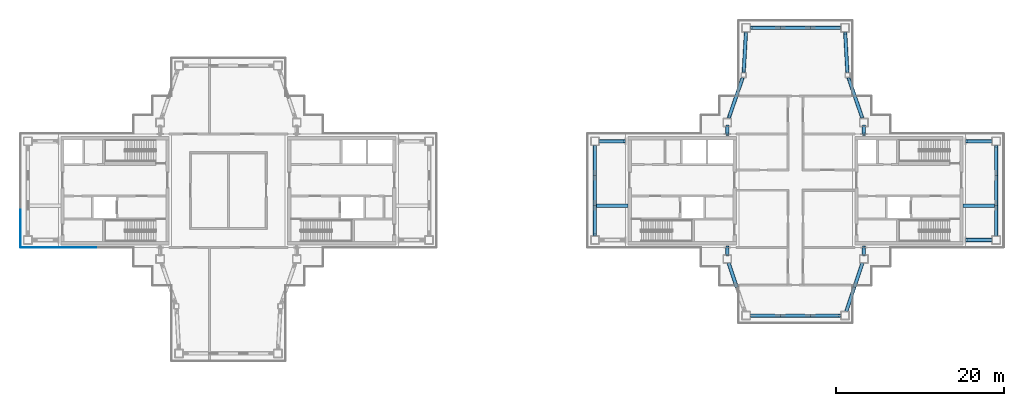
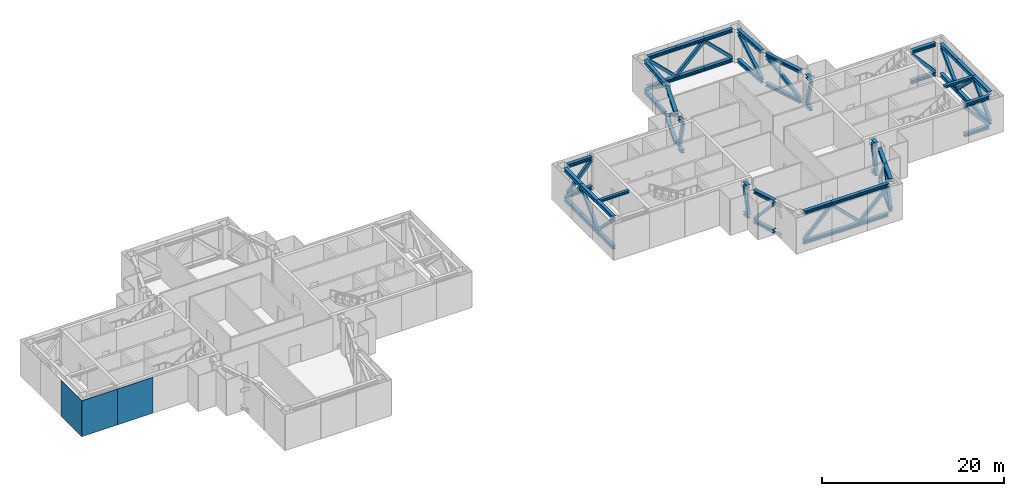
# One storey, part 4 of 18: 78 members, 3 plates, 2 beams, 3 elements without a shape of their own.
"""IFC4 building model written with IfcOpenShell, lengths in metres."""

from ifc_helpers import new_model, si_unit, direction, frame, origin, origin_2d, place, context, subcontext, project, spatial, rectangle, hollow_rectangle, i_section, extrude, material, layer, layer_set, material_profile, profile_set, type_object, element, aggregate, save


model = new_model("IFC4")

# Units and contexts
model_context = context("Model", 3, precision=1e-05, world=origin(), true_north=direction((0.0, 1.0)))
body_context = subcontext(model_context, "Body", "Model", "MODEL_VIEW")
ifc_project = project(units=[si_unit("LENGTHUNIT", "METRE"), si_unit("AREAUNIT", "SQUARE_METRE"), si_unit("VOLUMEUNIT", "CUBIC_METRE"), si_unit("PLANEANGLEUNIT", "RADIAN"), si_unit("MASSUNIT", "GRAM", prefix="KILO")], contexts=[model_context])

# Site, building, storey
site_placement = place(None, origin())
site = spatial("IfcSite", under=ifc_project, at=site_placement, CompositionType="ELEMENT")
building_placement = place(site_placement, origin())
building = spatial("IfcBuilding", under=site, at=building_placement, Name="Shamsa Quay Exchange Towers", CompositionType="ELEMENT")
storey_placement = place(building_placement, frame((0.0, 0.0, 225.60009765625)))
storey = spatial("IfcBuildingStorey", under=building, at=storey_placement, Name="L54", CompositionType="ELEMENT", Elevation=225.60009765625)

# Members
ifc_material_1 = material(Name="Steel S355", Category="steel")
ifc_material_profile_1 = material_profile(ifc_material_1, i_section(OverallWidth=0.42138671875, OverallDepth=0.465087890625, WebThickness=0.044921875, FlangeThickness=0.072021484375, at=origin_2d()), Name="W14x398")
ifc_profile_set_1 = profile_set([ifc_material_profile_1], Name="Steel S355")
member_type_1 = type_object("IfcMemberType", Name="Belt chord W14x398", PredefinedType="CHORD", material=ifc_profile_set_1)
for number, where, z_axis, x_axis, name in (
    (1, (25.791748046875, -8.625, 4.21728515625), (0.316203597486, -0.948691353885, 0.0), (0.948691353885, 0.316203597486, 0.0), "Belt truss chord T2 L54 3"),
    (2, (25.791748046875, -8.625, 0.232421875), (0.316203597486, -0.948691353885, 0.0), (0.948691353885, 0.316203597486, 0.0), "Belt truss chord T2 L54 3"),
):
    element("IfcMember", number, at=place(storey_placement, frame(where, z_axis=z_axis, x_axis=x_axis)), inside=storey, type_object=member_type_1, Name=name, PredefinedType="CHORD", context=body_context, shape_type="SweptSolid", body=[
        extrude(i_section(OverallWidth=0.42138671875, OverallDepth=0.465087890625, WebThickness=0.044921875, FlangeThickness=0.072021484375, at=origin_2d()), origin(), (0.0, 0.0, 1.0), 3.030517578125),
    ])
for number, where, z_axis, x_axis, name in (
    (3, (28.375, -14.875, 4.21728515625), (1.0, 0.0, 0.0), (0.0, 1.0, 0.0), "Belt truss chord T2 L54 4"),
    (4, (28.375, -14.875, 0.232421875), (1.0, 0.0, 0.0), (0.0, 1.0, 0.0), "Belt truss chord T2 L54 4"),
):
    element("IfcMember", number, at=place(storey_placement, frame(where, z_axis=z_axis, x_axis=x_axis)), inside=storey, type_object=member_type_1, Name=name, PredefinedType="CHORD", context=body_context, shape_type="SweptSolid", body=[
        extrude(i_section(OverallWidth=0.42138671875, OverallDepth=0.465087890625, WebThickness=0.044921875, FlangeThickness=0.072021484375, at=origin_2d()), origin(), (0.0, 0.0, 1.0), 3.583251953125),
    ])
for number, where, z_axis, x_axis, name in (
    (5, (31.958251953125, -14.875, 4.21728515625), (1.0, 0.0, 0.0), (0.0, 1.0, 0.0), "Belt truss chord T2 L54 4"),
    (6, (31.958251953125, -14.875, 0.232421875), (1.0, 0.0, 0.0), (0.0, 1.0, 0.0), "Belt truss chord T2 L54 4"),
):
    element("IfcMember", number, at=place(storey_placement, frame(where, z_axis=z_axis, x_axis=x_axis)), inside=storey, type_object=member_type_1, Name=name, PredefinedType="CHORD", context=body_context, shape_type="SweptSolid", body=[
        extrude(i_section(OverallWidth=0.42138671875, OverallDepth=0.465087890625, WebThickness=0.044921875, FlangeThickness=0.072021484375, at=origin_2d()), origin(), (0.0, 0.0, 1.0), 3.58349609375),
    ])
for number, where, z_axis, x_axis, name in (
    (7, (35.541748046875, -14.875, 4.21728515625), (1.0, 0.0, 0.0), (0.0, 1.0, 0.0), "Belt truss chord T2 L54 4"),
    (8, (35.541748046875, -14.875, 0.232421875), (1.0, 0.0, 0.0), (0.0, 1.0, 0.0), "Belt truss chord T2 L54 4"),
):
    element("IfcMember", number, at=place(storey_placement, frame(where, z_axis=z_axis, x_axis=x_axis)), inside=storey, type_object=member_type_1, Name=name, PredefinedType="CHORD", context=body_context, shape_type="SweptSolid", body=[
        extrude(i_section(OverallWidth=0.42138671875, OverallDepth=0.465087890625, WebThickness=0.044921875, FlangeThickness=0.072021484375, at=origin_2d()), origin(), (0.0, 0.0, 1.0), 3.583251953125),
    ])
for number, where, z_axis, x_axis, name in (
    (9, (39.791748046875, -14.375, 4.21728515625), (0.316203597486, 0.948691353885, 0.0), (-0.948691353885, 0.316203597486, 0.0), "Belt truss chord T2 L54 5"),
    (10, (39.791748046875, -14.375, 0.232421875), (0.316203597486, 0.948691353885, 0.0), (-0.948691353885, 0.316203597486, 0.0), "Belt truss chord T2 L54 5"),
    (11, (40.75, -11.5, 4.21728515625), (0.316203597486, 0.948691353885, 0.0), (-0.948691353885, 0.316203597486, 0.0), "Belt truss chord T2 L54 5"),
    (12, (40.75, -11.5, 0.232421875), (0.316203597486, 0.948691353885, 0.0), (-0.948691353885, 0.316203597486, 0.0), "Belt truss chord T2 L54 5"),
):
    element("IfcMember", number, at=place(storey_placement, frame(where, z_axis=z_axis, x_axis=x_axis)), inside=storey, type_object=member_type_1, Name=name, PredefinedType="CHORD", context=body_context, shape_type="SweptSolid", body=[
        extrude(i_section(OverallWidth=0.42138671875, OverallDepth=0.465087890625, WebThickness=0.044921875, FlangeThickness=0.072021484375, at=origin_2d()), origin(), (0.0, 0.0, 1.0), 3.030517578125),
    ])
for number, where, z_axis, x_axis, name in (
    (13, (57.625, -5.375, 4.21728515625), (0.0, 1.0, 0.0), (-1.0, 0.0, 0.0), "Belt truss chord T2 L54 8"),
    (14, (57.625, -5.375, 0.232421875), (0.0, 1.0, 0.0), (-1.0, 0.0, 0.0), "Belt truss chord T2 L54 8"),
):
    element("IfcMember", number, at=place(storey_placement, frame(where, z_axis=z_axis, x_axis=x_axis)), inside=storey, type_object=member_type_1, Name=name, PredefinedType="CHORD", context=body_context, shape_type="SweptSolid", body=[
        extrude(i_section(OverallWidth=0.42138671875, OverallDepth=0.465087890625, WebThickness=0.044921875, FlangeThickness=0.072021484375, at=origin_2d()), origin(), (0.0, 0.0, 1.0), 3.583251953125),
    ])
for number, where, z_axis, x_axis, name in (
    (15, (57.625, -1.791748046875, 4.21728515625), (0.0, 1.0, 0.0), (-1.0, 0.0, 0.0), "Belt truss chord T2 L54 8"),
    (16, (57.625, -1.791748046875, 0.232421875), (0.0, 1.0, 0.0), (-1.0, 0.0, 0.0), "Belt truss chord T2 L54 8"),
):
    element("IfcMember", number, at=place(storey_placement, frame(where, z_axis=z_axis, x_axis=x_axis)), inside=storey, type_object=member_type_1, Name=name, PredefinedType="CHORD", context=body_context, shape_type="SweptSolid", body=[
        extrude(i_section(OverallWidth=0.42138671875, OverallDepth=0.465087890625, WebThickness=0.044921875, FlangeThickness=0.072021484375, at=origin_2d()), origin(), (0.0, 0.0, 1.0), 3.58349609375),
    ])
for number, where, z_axis, x_axis, name in (
    (17, (57.625, 1.791748046875, 4.21728515625), (0.0, 1.0, 0.0), (-1.0, 0.0, 0.0), "Belt truss chord T2 L54 8"),
    (18, (57.625, 1.791748046875, 0.232421875), (0.0, 1.0, 0.0), (-1.0, 0.0, 0.0), "Belt truss chord T2 L54 8"),
):
    element("IfcMember", number, at=place(storey_placement, frame(where, z_axis=z_axis, x_axis=x_axis)), inside=storey, type_object=member_type_1, Name=name, PredefinedType="CHORD", context=body_context, shape_type="SweptSolid", body=[
        extrude(i_section(OverallWidth=0.42138671875, OverallDepth=0.465087890625, WebThickness=0.044921875, FlangeThickness=0.072021484375, at=origin_2d()), origin(), (0.0, 0.0, 1.0), 3.583251953125),
    ])
for number, where, z_axis, x_axis, name in (
    (19, (41.702880859375, 8.625, 4.21728515625), (-0.325698743576, 0.945473600072, 0.0), (-0.945473600072, -0.325698743576, 0.0), "Belt truss chord T2 L54 11"),
    (20, (41.702880859375, 8.625, 0.232421875), (-0.325698743576, 0.945473600072, 0.0), (-0.945473600072, -0.325698743576, 0.0), "Belt truss chord T2 L54 11"),
):
    element("IfcMember", number, at=place(storey_placement, frame(where, z_axis=z_axis, x_axis=x_axis)), inside=storey, type_object=member_type_1, Name=name, PredefinedType="CHORD", context=body_context, shape_type="SweptSolid", body=[
        extrude(i_section(OverallWidth=0.42138671875, OverallDepth=0.465087890625, WebThickness=0.044921875, FlangeThickness=0.072021484375, at=origin_2d()), origin(), (0.0, 0.0, 1.0), 5.103271484375),
    ])
for number, where, z_axis, x_axis, name in (
    (21, (39.9208984375, 14.050048828125, 4.21728515625), (-0.055472817747, 0.99846019775, 0.0), (-0.99846019775, -0.055472817747, 0.0), "Belt truss chord T2 L54 12"),
    (22, (39.9208984375, 14.050048828125, 0.232421875), (-0.055472817747, 0.99846019775, 0.0), (-0.99846019775, -0.055472817747, 0.0), "Belt truss chord T2 L54 12"),
):
    element("IfcMember", number, at=place(storey_placement, frame(where, z_axis=z_axis, x_axis=x_axis)), inside=storey, type_object=member_type_1, Name=name, PredefinedType="CHORD", context=body_context, shape_type="SweptSolid", body=[
        extrude(i_section(OverallWidth=0.42138671875, OverallDepth=0.465087890625, WebThickness=0.044921875, FlangeThickness=0.072021484375, at=origin_2d()), origin(), (0.0, 0.0, 1.0), 4.832275390625),
    ])
for number, where, z_axis, x_axis, name in (
    (23, (39.125, 19.375, 4.21728515625), (-1.0, 0.0, 0.0), (0.0, -1.0, 0.0), "Belt truss chord T2 L54 13"),
    (24, (39.125, 19.375, 0.232421875), (-1.0, 0.0, 0.0), (0.0, -1.0, 0.0), "Belt truss chord T2 L54 13"),
):
    element("IfcMember", number, at=place(storey_placement, frame(where, z_axis=z_axis, x_axis=x_axis)), inside=storey, type_object=member_type_1, Name=name, PredefinedType="CHORD", context=body_context, shape_type="SweptSolid", body=[
        extrude(i_section(OverallWidth=0.42138671875, OverallDepth=0.465087890625, WebThickness=0.044921875, FlangeThickness=0.072021484375, at=origin_2d()), origin(), (0.0, 0.0, 1.0), 3.583251953125),
    ])
for number, where, z_axis, x_axis, name in (
    (25, (35.541748046875, 19.375, 4.21728515625), (-1.0, 0.0, 0.0), (0.0, -1.0, 0.0), "Belt truss chord T2 L54 13"),
    (26, (35.541748046875, 19.375, 0.232421875), (-1.0, 0.0, 0.0), (0.0, -1.0, 0.0), "Belt truss chord T2 L54 13"),
):
    element("IfcMember", number, at=place(storey_placement, frame(where, z_axis=z_axis, x_axis=x_axis)), inside=storey, type_object=member_type_1, Name=name, PredefinedType="CHORD", context=body_context, shape_type="SweptSolid", body=[
        extrude(i_section(OverallWidth=0.42138671875, OverallDepth=0.465087890625, WebThickness=0.044921875, FlangeThickness=0.072021484375, at=origin_2d()), origin(), (0.0, 0.0, 1.0), 3.58349609375),
    ])
for number, where, z_axis, x_axis, name in (
    (27, (31.958251953125, 19.375, 4.21728515625), (-1.0, 0.0, 0.0), (0.0, -1.0, 0.0), "Belt truss chord T2 L54 13"),
    (28, (31.958251953125, 19.375, 0.232421875), (-1.0, 0.0, 0.0), (0.0, -1.0, 0.0), "Belt truss chord T2 L54 13"),
):
    element("IfcMember", number, at=place(storey_placement, frame(where, z_axis=z_axis, x_axis=x_axis)), inside=storey, type_object=member_type_1, Name=name, PredefinedType="CHORD", context=body_context, shape_type="SweptSolid", body=[
        extrude(i_section(OverallWidth=0.42138671875, OverallDepth=0.465087890625, WebThickness=0.044921875, FlangeThickness=0.072021484375, at=origin_2d()), origin(), (0.0, 0.0, 1.0), 3.583251953125),
    ])
for number, where, z_axis, x_axis, name in (
    (29, (27.84716796875, 18.875, 4.21728515625), (-0.055472817747, -0.99846019775, 0.0), (0.99846019775, -0.055472817747, 0.0), "Belt truss chord T2 L54 14"),
    (30, (27.84716796875, 18.875, 0.232421875), (-0.055472817747, -0.99846019775, 0.0), (0.99846019775, -0.055472817747, 0.0), "Belt truss chord T2 L54 14"),
):
    element("IfcMember", number, at=place(storey_placement, frame(where, z_axis=z_axis, x_axis=x_axis)), inside=storey, type_object=member_type_1, Name=name, PredefinedType="CHORD", context=body_context, shape_type="SweptSolid", body=[
        extrude(i_section(OverallWidth=0.42138671875, OverallDepth=0.465087890625, WebThickness=0.044921875, FlangeThickness=0.072021484375, at=origin_2d()), origin(), (0.0, 0.0, 1.0), 4.832275390625),
    ])
for number, where, z_axis, x_axis, name in (
    (31, (27.459228515625, 13.449951171875, 4.21728515625), (-0.325698743576, -0.945473600072, 0.0), (0.945473600072, -0.325698743576, 0.0), "Belt truss chord T2 L54 15"),
    (32, (27.459228515625, 13.449951171875, 0.232421875), (-0.325698743576, -0.945473600072, 0.0), (0.945473600072, -0.325698743576, 0.0), "Belt truss chord T2 L54 15"),
):
    element("IfcMember", number, at=place(storey_placement, frame(where, z_axis=z_axis, x_axis=x_axis)), inside=storey, type_object=member_type_1, Name=name, PredefinedType="CHORD", context=body_context, shape_type="SweptSolid", body=[
        extrude(i_section(OverallWidth=0.42138671875, OverallDepth=0.465087890625, WebThickness=0.044921875, FlangeThickness=0.072021484375, at=origin_2d()), origin(), (0.0, 0.0, 1.0), 5.103271484375),
    ])
for number, where, z_axis, x_axis, name in (
    (33, (9.875, 5.375, 4.21728515625), (0.0, -1.0, 0.0), (1.0, 0.0, 0.0), "Belt truss chord T2 L54 18"),
    (34, (9.875, 5.375, 0.232421875), (0.0, -1.0, 0.0), (1.0, 0.0, 0.0), "Belt truss chord T2 L54 18"),
):
    element("IfcMember", number, at=place(storey_placement, frame(where, z_axis=z_axis, x_axis=x_axis)), inside=storey, type_object=member_type_1, Name=name, PredefinedType="CHORD", context=body_context, shape_type="SweptSolid", body=[
        extrude(i_section(OverallWidth=0.42138671875, OverallDepth=0.465087890625, WebThickness=0.044921875, FlangeThickness=0.072021484375, at=origin_2d()), origin(), (0.0, 0.0, 1.0), 3.583251953125),
    ])
for number, where, z_axis, x_axis, name in (
    (35, (9.875, 1.791748046875, 4.21728515625), (0.0, -1.0, 0.0), (1.0, 0.0, 0.0), "Belt truss chord T2 L54 18"),
    (36, (9.875, 1.791748046875, 0.232421875), (0.0, -1.0, 0.0), (1.0, 0.0, 0.0), "Belt truss chord T2 L54 18"),
):
    element("IfcMember", number, at=place(storey_placement, frame(where, z_axis=z_axis, x_axis=x_axis)), inside=storey, type_object=member_type_1, Name=name, PredefinedType="CHORD", context=body_context, shape_type="SweptSolid", body=[
        extrude(i_section(OverallWidth=0.42138671875, OverallDepth=0.465087890625, WebThickness=0.044921875, FlangeThickness=0.072021484375, at=origin_2d()), origin(), (0.0, 0.0, 1.0), 3.58349609375),
    ])
for number, where, z_axis, x_axis, name in (
    (37, (9.875, -1.791748046875, 4.21728515625), (0.0, -1.0, 0.0), (1.0, 0.0, 0.0), "Belt truss chord T2 L54 18"),
    (38, (9.875, -1.791748046875, 0.232421875), (0.0, -1.0, 0.0), (1.0, 0.0, 0.0), "Belt truss chord T2 L54 18"),
):
    element("IfcMember", number, at=place(storey_placement, frame(where, z_axis=z_axis, x_axis=x_axis)), inside=storey, type_object=member_type_1, Name=name, PredefinedType="CHORD", context=body_context, shape_type="SweptSolid", body=[
        extrude(i_section(OverallWidth=0.42138671875, OverallDepth=0.465087890625, WebThickness=0.044921875, FlangeThickness=0.072021484375, at=origin_2d()), origin(), (0.0, 0.0, 1.0), 3.583251953125),
    ])
ifc_material_profile_2 = material_profile(ifc_material_1, hollow_rectangle(XDim=0.355712890625, YDim=0.355712890625, WallThickness=0.015869140625, at=origin_2d()), Name="HSS14x14x5/8")
ifc_profile_set_2 = profile_set([ifc_material_profile_2], Name="Steel S355")
member_type_2 = type_object("IfcMemberType", Name="Belt diagonal HSS14x14x5/8", PredefinedType="BRACE", material=ifc_profile_set_2)
member_1_placement = place(storey_placement, frame((25.8232421875, -8.7197265625, 0.5810546875), z_axis=(0.206347897913, -0.618987422156, 0.757809419471), x_axis=(0.948674673382, 0.316253638845, 0.0)))
element("IfcMember", 39, at=member_1_placement, inside=storey, type_object=member_type_2, Name="Belt truss diagonal T2 L54 3", PredefinedType="BRACE", context=body_context, shape_type="SweptSolid", body=[
    extrude(hollow_rectangle(XDim=0.355712890625, YDim=0.355712890625, WallThickness=0.015869140625, at=origin_2d()), origin(), (0.0, 0.0, 1.0), 4.338623046875),
])
for number, where, z_axis, x_axis, name in (
    (40, (28.504150390625, -14.875, 0.591796875), (0.713390640868, 0.0, 0.700766575632), (0.0, 1.0, 0.0), "Belt truss diagonal T2 L54 4"),
    (41, (35.41259765625, -14.875, 0.591796875), (-0.71341636286, 0.0, 0.700740389305), (0.0, -1.0, 0.0), "Belt truss diagonal T2 L54 4"),
    (42, (35.6708984375, -14.875, 0.591796875), (0.713390640868, 0.0, 0.700766575632), (0.0, 1.0, 0.0), "Belt truss diagonal T2 L54 4"),
):
    element("IfcMember", number, at=place(storey_placement, frame(where, z_axis=z_axis, x_axis=x_axis)), inside=storey, type_object=member_type_2, Name=name, PredefinedType="BRACE", context=body_context, shape_type="SweptSolid", body=[
        extrude(hollow_rectangle(XDim=0.355712890625, YDim=0.355712890625, WallThickness=0.015869140625, at=origin_2d()), origin(), (0.0, 0.0, 1.0), 4.660888671875),
    ])
for number, where, z_axis, x_axis, name in (
    (43, (39.8232421875, -14.2802734375, 0.5810546875), (0.206347897913, 0.618987422156, 0.757809419471), (-0.948674673382, 0.316253638845, 0.0), "Belt truss diagonal T2 L54 5"),
    (44, (41.6767578125, -8.7197265625, 0.5810546875), (-0.206347897913, -0.618987422156, 0.757809419471), (0.948674673382, -0.316253638845, 0.0), "Belt truss diagonal T2 L54 5"),
):
    element("IfcMember", number, at=place(storey_placement, frame(where, z_axis=z_axis, x_axis=x_axis)), inside=storey, type_object=member_type_2, Name=name, PredefinedType="BRACE", context=body_context, shape_type="SweptSolid", body=[
        extrude(hollow_rectangle(XDim=0.355712890625, YDim=0.355712890625, WallThickness=0.015869140625, at=origin_2d()), origin(), (0.0, 0.0, 1.0), 4.338623046875),
    ])
for number, where, z_axis, x_axis, name in (
    (45, (57.625, -5.245849609375, 0.591796875), (0.0, 0.713390640868, 0.700766575632), (-1.0, 0.0, 0.0), "Belt truss diagonal T2 L54 8"),
    (46, (57.625, 1.66259765625, 0.591796875), (0.0, -0.71341636286, 0.700740389305), (1.0, 0.0, 0.0), "Belt truss diagonal T2 L54 8"),
    (47, (57.625, 1.9208984375, 0.591796875), (0.0, 0.713390640868, 0.700766575632), (-1.0, 0.0, 0.0), "Belt truss diagonal T2 L54 8"),
):
    element("IfcMember", number, at=place(storey_placement, frame(where, z_axis=z_axis, x_axis=x_axis)), inside=storey, type_object=member_type_2, Name=name, PredefinedType="BRACE", context=body_context, shape_type="SweptSolid", body=[
        extrude(hollow_rectangle(XDim=0.355712890625, YDim=0.355712890625, WallThickness=0.015869140625, at=origin_2d()), origin(), (0.0, 0.0, 1.0), 4.660888671875),
    ])
member_2_placement = place(storey_placement, frame((41.6337890625, 8.82568359375, 0.611328125), z_axis=(-0.26812273259, 0.778294743961, 0.56777415562), x_axis=(-0.945468319902, -0.325714071021, 0.0)))
element("IfcMember", 48, at=member_2_placement, inside=storey, type_object=member_type_2, Name="Belt truss diagonal T2 L54 11", PredefinedType="BRACE", context=body_context, shape_type="SweptSolid", body=[
    extrude(hollow_rectangle(XDim=0.355712890625, YDim=0.355712890625, WallThickness=0.015869140625, at=origin_2d()), origin(), (0.0, 0.0, 1.0), 5.68359375),
])
member_3_placement = place(storey_placement, frame((39.909912109375, 14.2470703125, 0.608642578125), z_axis=(-0.044824361633, 0.807060852452, 0.588764432556), x_axis=(-0.998461199469, -0.055454784785, 0.0)))
element("IfcMember", 49, at=member_3_placement, inside=storey, type_object=member_type_2, Name="Belt truss diagonal T2 L54 12", PredefinedType="BRACE", context=body_context, shape_type="SweptSolid", body=[
    extrude(hollow_rectangle(XDim=0.355712890625, YDim=0.355712890625, WallThickness=0.015869140625, at=origin_2d()), origin(), (0.0, 0.0, 1.0), 5.490234375),
])
for number, where, z_axis, x_axis, name in (
    (50, (38.995849609375, 19.375, 0.591796875), (-0.713390640868, 0.0, 0.700766575632), (0.0, -1.0, 0.0), "Belt truss diagonal T2 L54 13"),
    (51, (32.08740234375, 19.375, 0.591796875), (0.71341636286, 0.0, 0.700740389305), (0.0, 1.0, 0.0), "Belt truss diagonal T2 L54 13"),
    (52, (31.8291015625, 19.375, 0.591796875), (-0.713390640868, 0.0, 0.700766575632), (0.0, -1.0, 0.0), "Belt truss diagonal T2 L54 13"),
):
    element("IfcMember", number, at=place(storey_placement, frame(where, z_axis=z_axis, x_axis=x_axis)), inside=storey, type_object=member_type_2, Name=name, PredefinedType="BRACE", context=body_context, shape_type="SweptSolid", body=[
        extrude(hollow_rectangle(XDim=0.355712890625, YDim=0.355712890625, WallThickness=0.015869140625, at=origin_2d()), origin(), (0.0, 0.0, 1.0), 4.660888671875),
    ])
member_4_placement = place(storey_placement, frame((27.836181640625, 18.677978515625, 0.608642578125), z_axis=(-0.044824361633, -0.807060852452, 0.588764432556), x_axis=(0.998461199469, -0.055454784785, 0.0)))
element("IfcMember", 53, at=member_4_placement, inside=storey, type_object=member_type_2, Name="Belt truss diagonal T2 L54 14", PredefinedType="BRACE", context=body_context, shape_type="SweptSolid", body=[
    extrude(hollow_rectangle(XDim=0.355712890625, YDim=0.355712890625, WallThickness=0.015869140625, at=origin_2d()), origin(), (0.0, 0.0, 1.0), 5.490234375),
])
member_5_placement = place(storey_placement, frame((27.39013671875, 13.249267578125, 0.611328125), z_axis=(-0.26812273259, -0.778294743961, 0.56777415562), x_axis=(0.945468319902, -0.325714071021, 0.0)))
element("IfcMember", 54, at=member_5_placement, inside=storey, type_object=member_type_2, Name="Belt truss diagonal T2 L54 15", PredefinedType="BRACE", context=body_context, shape_type="SweptSolid", body=[
    extrude(hollow_rectangle(XDim=0.355712890625, YDim=0.355712890625, WallThickness=0.015869140625, at=origin_2d()), origin(), (0.0, 0.0, 1.0), 5.68359375),
])
for number, where, z_axis, x_axis, name in (
    (55, (9.875, 5.245849609375, 0.591796875), (0.0, -0.713390640868, 0.700766575632), (1.0, 0.0, 0.0), "Belt truss diagonal T2 L54 18"),
    (56, (9.875, -1.66259765625, 0.591796875), (0.0, 0.71341636286, 0.700740389305), (-1.0, 0.0, 0.0), "Belt truss diagonal T2 L54 18"),
    (57, (9.875, -1.9208984375, 0.591796875), (0.0, -0.713390640868, 0.700766575632), (1.0, 0.0, 0.0), "Belt truss diagonal T2 L54 18"),
):
    element("IfcMember", number, at=place(storey_placement, frame(where, z_axis=z_axis, x_axis=x_axis)), inside=storey, type_object=member_type_2, Name=name, PredefinedType="BRACE", context=body_context, shape_type="SweptSolid", body=[
        extrude(hollow_rectangle(XDim=0.355712890625, YDim=0.355712890625, WallThickness=0.015869140625, at=origin_2d()), origin(), (0.0, 0.0, 1.0), 4.660888671875),
    ])

# Beams
ifc_material_profile_3 = material_profile(ifc_material_1, i_section(OverallWidth=0.368896484375, OverallDepth=0.356201171875, WebThickness=0.01123046875, FlangeThickness=0.01806640625, at=origin_2d()), Name="W14x90")
ifc_profile_set_3 = profile_set([ifc_material_profile_3], Name="Steel S355")
beam_type = type_object("IfcBeamType", Name="End-zone beam W14x90", PredefinedType="BEAM", material=ifc_profile_set_3)
for number, where, z_axis, x_axis, name in (
    (58, (13.800048828125, -1.800048828125, 4.27197265625), (-1.0, 0.0, 0.0), (0.0, -1.0, 0.0), "Spine beam T2 V+ end zone L54"),
    (59, (53.699951171875, -1.800048828125, 4.27197265625), (1.0, 0.0, 0.0), (0.0, 1.0, 0.0), "Spine beam T2 V- end zone L54"),
):
    element("IfcBeam", number, at=place(storey_placement, frame(where, z_axis=z_axis, x_axis=x_axis)), inside=storey, type_object=beam_type, Name=name, PredefinedType="BEAM", context=body_context, shape_type="SweptSolid", body=[
        extrude(i_section(OverallWidth=0.368896484375, OverallDepth=0.356201171875, WebThickness=0.01123046875, FlangeThickness=0.01806640625, at=origin_2d()), origin(), (0.0, 0.0, 1.0), 3.71435546875),
    ])

# Members
ifc_material_profile_4 = material_profile(ifc_material_1, i_section(OverallWidth=0.42138671875, OverallDepth=0.465087890625, WebThickness=0.044921875, FlangeThickness=0.072021484375, at=origin_2d()), Name="W14x398")
ifc_profile_set_4 = profile_set([ifc_material_profile_4], Name="Steel S355")
member_type_3 = type_object("IfcMemberType", Name="Outrigger chord W14x398", PredefinedType="CHORD", material=ifc_profile_set_4)
for number, where, z_axis, x_axis, name in (
    (60, (25.625, -7.625, 4.21728515625), (0.0, 1.0, 0.0), (-1.0, 0.0, 0.0), "Outrigger truss chord T2 L54 2"),
    (61, (25.625, -7.625, 0.232421875), (0.0, 1.0, 0.0), (-1.0, 0.0, 0.0), "Outrigger truss chord T2 L54 2"),
    (62, (41.875, -7.625, 4.21728515625), (0.0, 1.0, 0.0), (-1.0, 0.0, 0.0), "Outrigger truss chord T2 L54 6"),
    (63, (41.875, -7.625, 0.232421875), (0.0, 1.0, 0.0), (-1.0, 0.0, 0.0), "Outrigger truss chord T2 L54 6"),
):
    element("IfcMember", number, at=place(storey_placement, frame(where, z_axis=z_axis, x_axis=x_axis)), inside=storey, type_object=member_type_3, Name=name, PredefinedType="CHORD", context=body_context, shape_type="SweptSolid", body=[
        extrude(i_section(OverallWidth=0.42138671875, OverallDepth=0.465087890625, WebThickness=0.044921875, FlangeThickness=0.072021484375, at=origin_2d()), origin(), (0.0, 0.0, 1.0), 0.875),
    ])
for number, where, z_axis, x_axis, name in (
    (64, (57.125, -5.875, 4.21728515625), (-1.0, 0.0, 0.0), (0.0, -1.0, 0.0), "Outrigger truss chord T2 L54 7"),
    (65, (57.125, -5.875, 0.232421875), (-1.0, 0.0, 0.0), (0.0, -1.0, 0.0), "Outrigger truss chord T2 L54 7"),
    (66, (57.125, 5.875, 4.21728515625), (-1.0, 0.0, 0.0), (0.0, -1.0, 0.0), "Outrigger truss chord T2 L54 9"),
    (67, (57.125, 5.875, 0.232421875), (-1.0, 0.0, 0.0), (0.0, -1.0, 0.0), "Outrigger truss chord T2 L54 9"),
):
    element("IfcMember", number, at=place(storey_placement, frame(where, z_axis=z_axis, x_axis=x_axis)), inside=storey, type_object=member_type_3, Name=name, PredefinedType="CHORD", context=body_context, shape_type="SweptSolid", body=[
        extrude(i_section(OverallWidth=0.42138671875, OverallDepth=0.465087890625, WebThickness=0.044921875, FlangeThickness=0.072021484375, at=origin_2d()), origin(), (0.0, 0.0, 1.0), 3.125),
    ])
for number, where, z_axis, x_axis, name in (
    (68, (41.875, 7.625, 4.21728515625), (0.0, -1.0, 0.0), (1.0, 0.0, 0.0), "Outrigger truss chord T2 L54 10"),
    (69, (41.875, 7.625, 0.232421875), (0.0, -1.0, 0.0), (1.0, 0.0, 0.0), "Outrigger truss chord T2 L54 10"),
    (70, (25.625, 7.625, 4.21728515625), (0.0, -1.0, 0.0), (1.0, 0.0, 0.0), "Outrigger truss chord T2 L54 16"),
    (71, (25.625, 7.625, 0.232421875), (0.0, -1.0, 0.0), (1.0, 0.0, 0.0), "Outrigger truss chord T2 L54 16"),
):
    element("IfcMember", number, at=place(storey_placement, frame(where, z_axis=z_axis, x_axis=x_axis)), inside=storey, type_object=member_type_3, Name=name, PredefinedType="CHORD", context=body_context, shape_type="SweptSolid", body=[
        extrude(i_section(OverallWidth=0.42138671875, OverallDepth=0.465087890625, WebThickness=0.044921875, FlangeThickness=0.072021484375, at=origin_2d()), origin(), (0.0, 0.0, 1.0), 0.875),
    ])
for number, where, z_axis, x_axis, name in (
    (72, (10.375, 5.875, 4.21728515625), (1.0, 0.0, 0.0), (0.0, 1.0, 0.0), "Outrigger truss chord T2 L54 17"),
    (73, (10.375, 5.875, 0.232421875), (1.0, 0.0, 0.0), (0.0, 1.0, 0.0), "Outrigger truss chord T2 L54 17"),
):
    element("IfcMember", number, at=place(storey_placement, frame(where, z_axis=z_axis, x_axis=x_axis)), inside=storey, type_object=member_type_3, Name=name, PredefinedType="CHORD", context=body_context, shape_type="SweptSolid", body=[
        extrude(i_section(OverallWidth=0.42138671875, OverallDepth=0.465087890625, WebThickness=0.044921875, FlangeThickness=0.072021484375, at=origin_2d()), origin(), (0.0, 0.0, 1.0), 3.125),
    ])
ifc_material_profile_5 = material_profile(ifc_material_1, hollow_rectangle(XDim=0.355712890625, YDim=0.355712890625, WallThickness=0.015869140625, at=origin_2d()), Name="HSS14x14x5/8")
ifc_profile_set_5 = profile_set([ifc_material_profile_5], Name="Steel S355")
member_type_4 = type_object("IfcMemberType", Name="Outrigger diagonal HSS14x14x5/8", PredefinedType="BRACE", material=ifc_profile_set_5)
for number, where, z_axis, x_axis, name in (
    (74, (25.625, -7.6142578125, 0.5078125), (0.0, 0.241204211804, 0.970474383077), (-1.0, 0.0, 0.0), "Outrigger truss diagonal T2 L54 2"),
    (75, (41.875, -7.6142578125, 0.5078125), (0.0, 0.241204211804, 0.970474383077), (-1.0, 0.0, 0.0), "Outrigger truss diagonal T2 L54 6"),
):
    element("IfcMember", number, at=place(storey_placement, frame(where, z_axis=z_axis, x_axis=x_axis)), inside=storey, type_object=member_type_4, Name=name, PredefinedType="BRACE", context=body_context, shape_type="SweptSolid", body=[
        extrude(hollow_rectangle(XDim=0.355712890625, YDim=0.355712890625, WallThickness=0.015869140625, at=origin_2d()), origin(), (0.0, 0.0, 1.0), 3.53857421875),
    ])
for number, where, z_axis, x_axis, name in (
    (76, (57.020263671875, -5.875, 0.5830078125), (-0.663942727815, 0.0, 0.747783427325), (0.0, -1.0, 0.0), "Outrigger truss diagonal T2 L54 7"),
    (77, (57.020263671875, 5.875, 0.5830078125), (-0.663942727815, 0.0, 0.747783427325), (0.0, -1.0, 0.0), "Outrigger truss diagonal T2 L54 9"),
):
    element("IfcMember", number, at=place(storey_placement, frame(where, z_axis=z_axis, x_axis=x_axis)), inside=storey, type_object=member_type_4, Name=name, PredefinedType="BRACE", context=body_context, shape_type="SweptSolid", body=[
        extrude(hollow_rectangle(XDim=0.355712890625, YDim=0.355712890625, WallThickness=0.015869140625, at=origin_2d()), origin(), (0.0, 0.0, 1.0), 4.39111328125),
    ])
for number, where, z_axis, x_axis, name in (
    (78, (41.875, 7.6142578125, 0.5078125), (0.0, -0.241204211804, 0.970474383077), (1.0, 0.0, 0.0), "Outrigger truss diagonal T2 L54 10"),
    (79, (25.625, 7.6142578125, 0.5078125), (0.0, -0.241204211804, 0.970474383077), (1.0, 0.0, 0.0), "Outrigger truss diagonal T2 L54 16"),
):
    element("IfcMember", number, at=place(storey_placement, frame(where, z_axis=z_axis, x_axis=x_axis)), inside=storey, type_object=member_type_4, Name=name, PredefinedType="BRACE", context=body_context, shape_type="SweptSolid", body=[
        extrude(hollow_rectangle(XDim=0.355712890625, YDim=0.355712890625, WallThickness=0.015869140625, at=origin_2d()), origin(), (0.0, 0.0, 1.0), 3.53857421875),
    ])
member_6_placement = place(storey_placement, frame((10.479736328125, 5.875, 0.5830078125), z_axis=(0.663942727815, 0.0, 0.747783427325), x_axis=(0.0, 1.0, 0.0)))
element("IfcMember", 80, at=member_6_placement, inside=storey, type_object=member_type_4, Name="Outrigger truss diagonal T2 L54 17", PredefinedType="BRACE", context=body_context, shape_type="SweptSolid", body=[
    extrude(hollow_rectangle(XDim=0.355712890625, YDim=0.355712890625, WallThickness=0.015869140625, at=origin_2d()), origin(), (0.0, 0.0, 1.0), 4.39111328125),
])

# Curtain wall, plate
ifc_material_2 = material(Name="Aluminium EN AW-6063 T6, black anodised", Category="aluminium")
ifc_layer_1 = layer(ifc_material_2, 0.320068359375)
ifc_layer_set_1 = layer_set([ifc_layer_1], Name="CW-7 BELT-LEVEL LOUVRE PANEL WALL")
curtain_wall_type = type_object("IfcCurtainWallType", Name="CW-7 BELT-LEVEL LOUVRE PANEL WALL", PredefinedType="NOTDEFINED", material=ifc_layer_set_1)
curtain_wall_1_placement = place(storey_placement, origin())
curtain_wall_1 = element("IfcCurtainWall", 81, at=curtain_wall_1_placement, inside=storey, type_object=curtain_wall_type, Name="CW7 T1-END-U- L54", PredefinedType="NOTDEFINED")
ifc_material_3 = material(Name="Aluminium louvre panel, black anodised, with insulated fire-rated backing", Category="aluminium")
ifc_layer_2 = layer(ifc_material_3, 0.06005859375)
ifc_layer_set_2 = layer_set([ifc_layer_2], Name="CW-7 LOUVRE PANEL 60")
plate_type = type_object("IfcPlateType", Name="CW-7 LOUVRE PANEL 60", PredefinedType="CURTAIN_PANEL", material=ifc_layer_set_2)
plate_1_placement = place(storey_placement, frame((-58.530029296875, -4.50244140625, -0.35009765625), z_axis=(0.0, 0.0, 1.0), x_axis=(0.0, -1.0, 0.0)))
plate_1 = element("IfcPlate", 82, at=plate_1_placement, type_object=plate_type, Name="CW7 glass panel", PredefinedType="CURTAIN_PANEL", context=body_context, shape_type="SweptSolid", body=[
    extrude(rectangle(XDim=4.4951171875, YDim=0.06005859375, at=origin_2d()), origin(), (0.0, 0.0, 1.0), 4.800048828125),
])
aggregate(curtain_wall_1, [plate_1])

curtain_wall_2_placement = place(storey_placement, origin())
curtain_wall_2 = element("IfcCurtainWall", 83, at=curtain_wall_2_placement, inside=storey, type_object=curtain_wall_type, Name="CW7 T1-FLK-U-S L54", PredefinedType="NOTDEFINED")
plate_2_placement = place(storey_placement, frame((-56.25, -6.780029296875, -0.35009765625)))
plate_2 = element("IfcPlate", 84, at=plate_2_placement, type_object=plate_type, Name="CW7 glass panel", PredefinedType="CURTAIN_PANEL", context=body_context, shape_type="SweptSolid", body=[
    extrude(rectangle(XDim=4.5, YDim=0.06005859375, at=origin_2d()), origin(), (0.0, 0.0, 1.0), 4.800048828125),
])
aggregate(curtain_wall_2, [plate_2])

curtain_wall_3_placement = place(storey_placement, origin())
curtain_wall_3 = element("IfcCurtainWall", 85, at=curtain_wall_3_placement, inside=storey, type_object=curtain_wall_type, Name="CW7 T1-FLK-U-S L54", PredefinedType="NOTDEFINED")
plate_3_placement = place(storey_placement, frame((-51.75244140625, -6.780029296875, -0.35009765625)))
plate_3 = element("IfcPlate", 86, at=plate_3_placement, type_object=plate_type, Name="CW7 glass panel", PredefinedType="CURTAIN_PANEL", context=body_context, shape_type="SweptSolid", body=[
    extrude(rectangle(XDim=4.4951171875, YDim=0.06005859375, at=origin_2d()), origin(), (0.0, 0.0, 1.0), 4.800048828125),
])
aggregate(curtain_wall_3, [plate_3])

save(model, "model.ifc")
